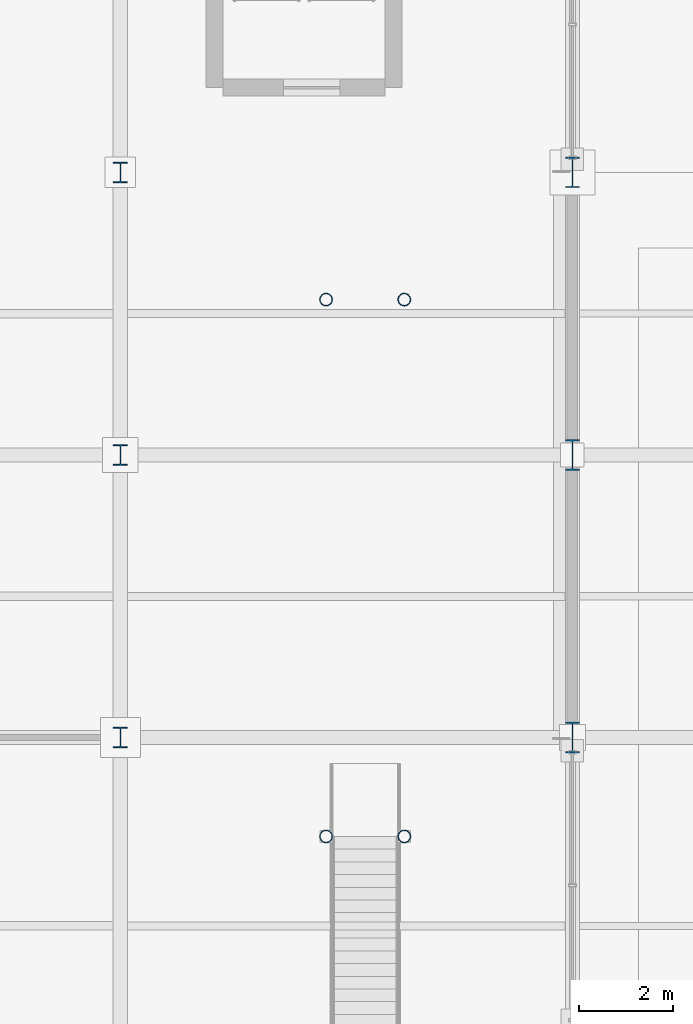
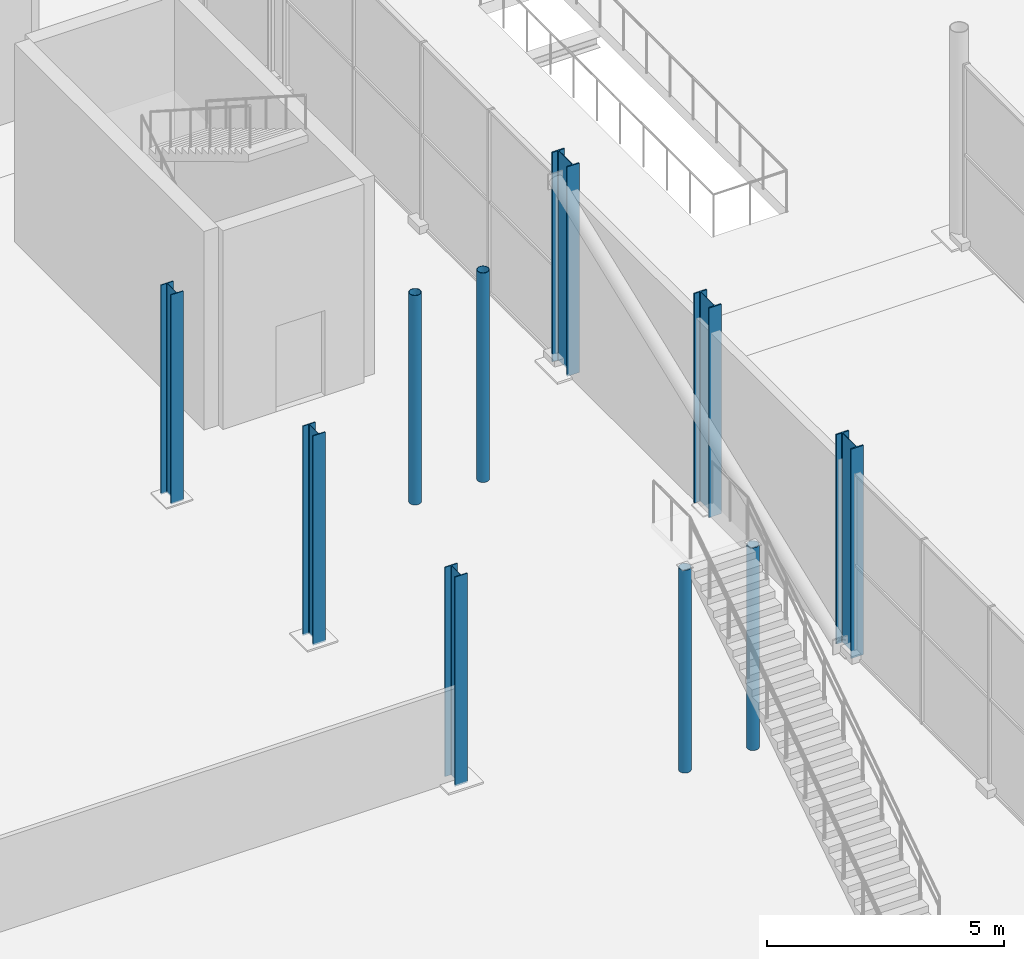
# One storey, part 4 of 196: 10 columns.
"""IFC4 building model written with IfcOpenShell, lengths in metres."""

from ifc_helpers import new_model, si_unit, direction, frame, origin, origin_2d, place, context, subcontext, project, spatial, hollow_circle, i_section, extrude, material, material_profile, profile_set, type_object, element, save


model = new_model("IFC4")

# Units and contexts
model_context = context("Model", 3, precision=1e-05, world=origin(), true_north=direction((0.0, 1.0)))
body_context = subcontext(model_context, "Body", "Model", "MODEL_VIEW")
ifc_project = project(units=[si_unit("LENGTHUNIT", "METRE"), si_unit("AREAUNIT", "SQUARE_METRE"), si_unit("VOLUMEUNIT", "CUBIC_METRE"), si_unit("PLANEANGLEUNIT", "RADIAN"), si_unit("MASSUNIT", "GRAM", prefix="KILO")], contexts=[model_context])

# Site, building, storey
site_placement = place(None, origin())
site = spatial("IfcSite", under=ifc_project, at=site_placement, CompositionType="ELEMENT")
building_placement = place(site_placement, origin())
building = spatial("IfcBuilding", under=site, at=building_placement, Name="Merenkruunu Market Hall", CompositionType="ELEMENT")
storey_placement = place(building_placement, origin())
storey = spatial("IfcBuildingStorey", under=building, at=storey_placement, Name="L00", CompositionType="ELEMENT", Elevation=0.0)

# Columns
ifc_material_1 = material(Name="Steel S355ML", Category="steel")
ifc_material_profile_1 = material_profile(ifc_material_1, i_section(OverallWidth=0.300048828125, OverallDepth=0.64990234375, WebThickness=0.01611328125, FlangeThickness=0.031005859375, FilletRadius=0.027099609375, at=origin_2d()), Name="HEB 650")
ifc_profile_set_1 = profile_set([ifc_material_profile_1], Name="Steel S355ML")
column_type_1 = type_object("IfcColumnType", Name="Structural Column C01", PredefinedType="COLUMN", material=ifc_profile_set_1)
for number, where, z_axis, x_axis, name in (
    (1, (57.60009765625, 39.60009765625, 0.0), (0.0, 0.0, 1.0), (1.0, 0.0, 0.0), "COL-L00-G-05"),
    (2, (57.60009765625, 45.60009765625, 0.0), (0.0, 0.0, 1.0), (1.0, 0.0, 0.0), "COL-L00-G-06"),
    (3, (57.60009765625, 51.60009765625, 0.0), (0.0, 0.0, 1.0), (1.0, 0.0, 0.0), "COL-L00-G-07"),
):
    element("IfcColumn", number, at=place(storey_placement, frame(where, z_axis=z_axis, x_axis=x_axis)), inside=storey, type_object=column_type_1, Name=name, PredefinedType="COLUMN", context=body_context, shape_type="SweptSolid", body=[
        extrude(i_section(OverallWidth=0.300048828125, OverallDepth=0.64990234375, WebThickness=0.01611328125, FlangeThickness=0.031005859375, FilletRadius=0.027099609375, at=origin_2d()), origin(), (0.0, 0.0, 1.0), 5.39990234375),
    ])
ifc_material_2 = material(Name="Steel S355J2", Category="steel")
ifc_material_profile_2 = material_profile(ifc_material_2, i_section(OverallWidth=0.300048828125, OverallDepth=0.43994140625, WebThickness=0.011474609375, FlangeThickness=0.02099609375, FilletRadius=0.027099609375, at=origin_2d()), Name="HEA 450")
ifc_profile_set_2 = profile_set([ifc_material_profile_2], Name="Steel S355J2")
column_type_2 = type_object("IfcColumnType", Name="Structural Column C07", PredefinedType="COLUMN", material=ifc_profile_set_2)
for number, where, z_axis, x_axis, name in (
    (4, (48.0, 39.60009765625, 0.0), (0.0, 0.0, 1.0), (1.0, 0.0, 0.0), "COL-L00-F-05"),
    (5, (48.0, 45.60009765625, 0.0), (0.0, 0.0, 1.0), (1.0, 0.0, 0.0), "COL-L00-F-06"),
    (6, (48.0, 51.60009765625, 0.0), (0.0, 0.0, 1.0), (1.0, 0.0, 0.0), "COL-L00-F-07"),
):
    element("IfcColumn", number, at=place(storey_placement, frame(where, z_axis=z_axis, x_axis=x_axis)), inside=storey, type_object=column_type_2, Name=name, PredefinedType="COLUMN", context=body_context, shape_type="SweptSolid", body=[
        extrude(i_section(OverallWidth=0.300048828125, OverallDepth=0.43994140625, WebThickness=0.011474609375, FlangeThickness=0.02099609375, FilletRadius=0.027099609375, at=origin_2d()), origin(), (0.0, 0.0, 1.0), 5.39990234375),
    ])
ifc_material_profile_3 = material_profile(ifc_material_1, hollow_circle(Radius=0.136474609375, WallThickness=0.012451171875, at=origin_2d()), Name="CHS 273x12.5")
ifc_profile_set_3 = profile_set([ifc_material_profile_3], Name="Steel S355ML")
column_type_3 = type_object("IfcColumnType", Name="Structural Column C14", PredefinedType="COLUMN", material=ifc_profile_set_3)
for number, where, z_axis, x_axis, name in (
    (7, (52.3701171875, 37.5, 0.0), (0.0, 0.0, 1.0), (1.0, 0.0, 0.0), "COL-FST-3-1-L00"),
    (8, (54.030029296875, 37.5, 0.0), (0.0, 0.0, 1.0), (1.0, 0.0, 0.0), "COL-FST-3-2-L00"),
):
    element("IfcColumn", number, at=place(storey_placement, frame(where, z_axis=z_axis, x_axis=x_axis)), inside=storey, type_object=column_type_3, Name=name, PredefinedType="COLUMN", context=body_context, shape_type="SweptSolid", body=[
        extrude(hollow_circle(Radius=0.136474609375, WallThickness=0.012451171875, at=origin_2d()), origin(), (0.0, 0.0, 1.0), 5.22998046875),
    ])
for number, where, z_axis, x_axis, name in (
    (9, (52.3701171875, 48.89990234375, 0.0), (0.0, 0.0, 1.0), (1.0, 0.0, 0.0), "COL-FST-5-1-L00"),
    (10, (54.030029296875, 48.89990234375, 0.0), (0.0, 0.0, 1.0), (1.0, 0.0, 0.0), "COL-FST-5-2-L00"),
):
    element("IfcColumn", number, at=place(storey_placement, frame(where, z_axis=z_axis, x_axis=x_axis)), inside=storey, type_object=column_type_3, Name=name, PredefinedType="COLUMN", context=body_context, shape_type="SweptSolid", body=[
        extrude(hollow_circle(Radius=0.136474609375, WallThickness=0.012451171875, at=origin_2d()), origin(), (0.0, 0.0, 1.0), 5.39990234375),
    ])

save(model, "model.ifc")
